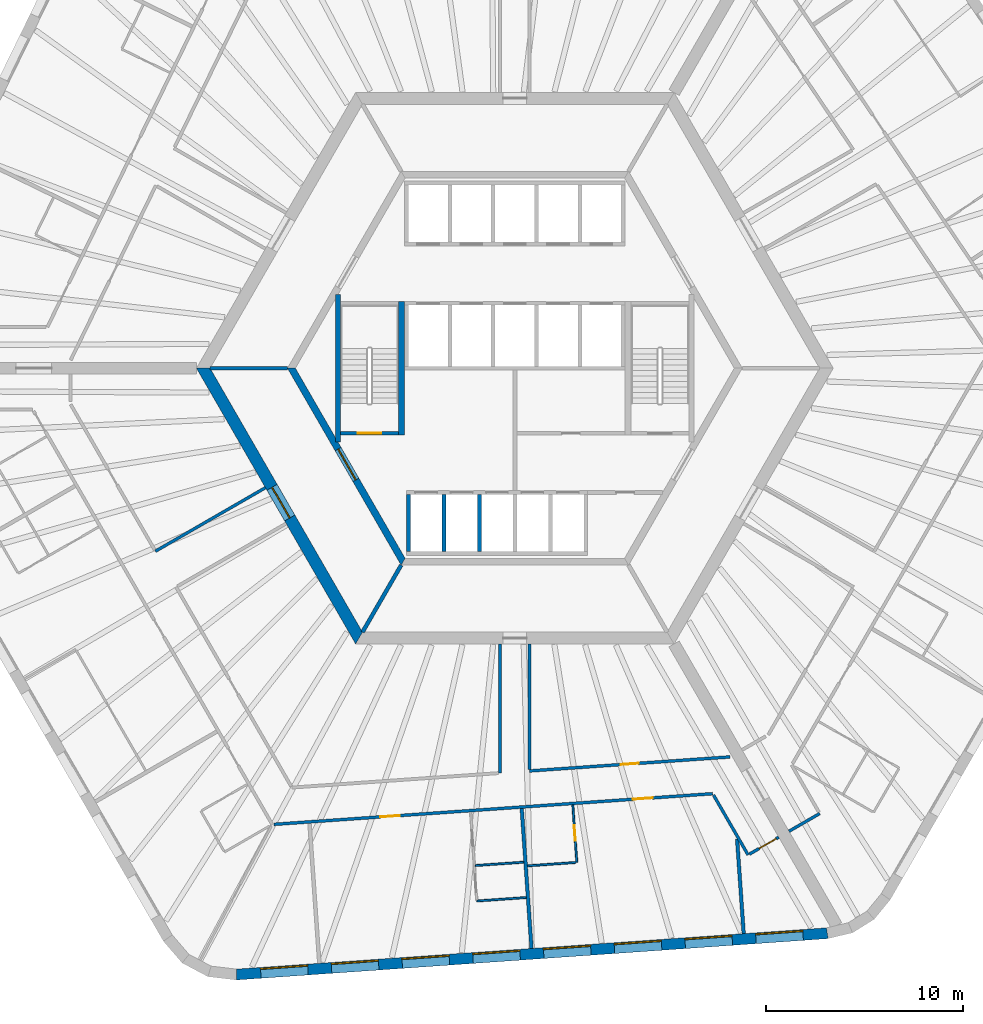
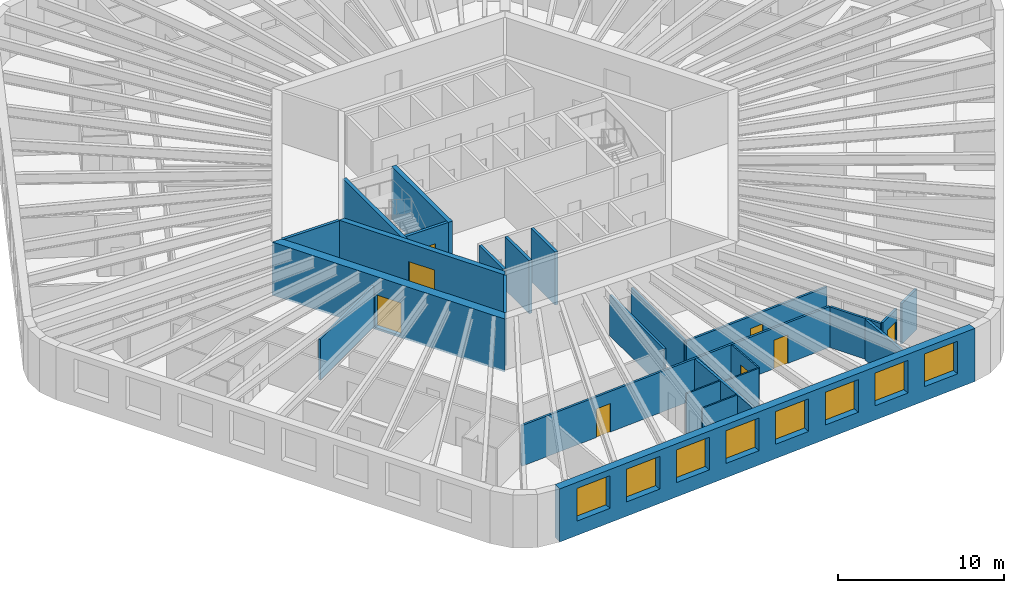
# One storey, part 4 of 11: 25 walls, 8 doors, 8 windows, 16 openings.
"""IFC4 building model written with IfcOpenShell, lengths in metres."""

import ifcopenshell
import ifcopenshell.guid

model = None  # the IFC model being written
_history = None  # IfcOwnerHistory: only IFC2X3 demands one
_inside = {}  # id of a spatial element -> (the spatial element, [elements in it])
_under = {}  # id of a project, library or spatial element -> (it, [spatial elements below it])
_declared = {}  # id of a project -> (the project, [libraries it declares])
_typed = {}  # id of a type object -> (the type object, [elements of that type])
_made_of = {}  # id of a material, layer set ... -> (it, [elements and type objects made of it])


def new_model(schema):
    """Start an empty IFC model of exactly this schema.

    Asked for "IFC4X3", IfcOpenShell would pick the latest addendum, in which some entities
    have other attributes; the version numbers below select the first issue.
    IFC2X3 requires an IfcOwnerHistory on every rooted entity: one is made here for all.
    """
    global model, _history
    if schema == "IFC4X3":
        model = ifcopenshell.file(schema_version=(4, 3, 0, 0))
    else:
        model = ifcopenshell.file(schema=schema)
    _inside.clear()
    _under.clear()
    _declared.clear()
    _typed.clear()
    _made_of.clear()
    _history = None
    if model.schema == "IFC2X3":
        org = make("IfcOrganization", Name="unknown")
        user = make(
            "IfcPersonAndOrganization",
            ThePerson=make("IfcPerson", FamilyName="unknown"),
            TheOrganization=org,
        )
        app = make(
            "IfcApplication",
            ApplicationDeveloper=org,
            Version="unknown",
            ApplicationFullName="unknown",
            ApplicationIdentifier="unknown",
        )
        _history = make(
            "IfcOwnerHistory",
            OwningUser=user,
            OwningApplication=app,
            ChangeAction="ADDED",
            CreationDate=0,
        )
    return model


def make(cls, **values):
    """One entity of the class cls with the attributes given. An attribute that is None is left unset."""
    return model.create_entity(
        cls, **{name: value for name, value in values.items() if value is not None}
    )


def rooted(cls, **values):
    """An entity with a GlobalId (a new one), such as an element, a storey or a relation."""
    return make(cls, GlobalId=ifcopenshell.guid.new(), OwnerHistory=_history, **values)


def si_unit(unit_type, name, prefix=None):
    """IfcSIUnit, for example si_unit("LENGTHUNIT", "METRE", prefix="MILLI")."""
    return make("IfcSIUnit", UnitType=unit_type, Prefix=prefix, Name=name)


def assignment(units):
    """IfcUnitAssignment: the units of a project."""
    return None if units is None else make("IfcUnitAssignment", Units=units)


def point(xyz):
    """IfcCartesianPoint."""
    return None if xyz is None else make("IfcCartesianPoint", Coordinates=xyz)


def direction(xyz):
    """IfcDirection."""
    return None if xyz is None else make("IfcDirection", DirectionRatios=xyz)


def frame(location, z_axis=None, x_axis=None):
    """IfcAxis2Placement3D, a coordinate frame: its origin and axes. An axis left out is left unset."""
    return make(
        "IfcAxis2Placement3D",
        Location=point(location),
        Axis=direction(z_axis),
        RefDirection=direction(x_axis),
    )


def frame_2d(location, x_axis=None):
    """IfcAxis2Placement2D, a coordinate frame in the plane: its origin and x axis."""
    return make(
        "IfcAxis2Placement2D", Location=point(location), RefDirection=direction(x_axis)
    )


def origin():
    """The frame at (0, 0, 0) with its axes left unset."""
    return frame((0.0, 0.0, 0.0))


def place(relative_to, where):
    """IfcLocalPlacement: puts the frame where relative to a parent placement (None: the world)."""
    return make(
        "IfcLocalPlacement", PlacementRelTo=relative_to, RelativePlacement=where
    )


def context(
    kind, dimensions, precision=None, world=None, true_north=None, identifier=None
):
    """IfcGeometricRepresentationContext, for example the 3D "Model" context."""
    return make(
        "IfcGeometricRepresentationContext",
        ContextIdentifier=identifier,
        ContextType=kind,
        CoordinateSpaceDimension=dimensions,
        Precision=precision,
        WorldCoordinateSystem=world,
        TrueNorth=true_north,
    )


def subcontext(parent, identifier, kind, view, scale=None):
    """IfcGeometricRepresentationSubContext, for example "Body" below "Model"."""
    return make(
        "IfcGeometricRepresentationSubContext",
        ContextIdentifier=identifier,
        ContextType=kind,
        ParentContext=parent,
        TargetScale=scale,
        TargetView=view,
    )


def project(units=None, contexts=None):
    """IfcProject with its units and contexts."""
    return rooted(
        "IfcProject",
        Name="project",
        RepresentationContexts=contexts,
        UnitsInContext=assignment(units),
    )


def spatial(cls, under=None, at=None, **own):
    """A site, building, storey or space (cls), placed at a placement, below another one or the project."""
    s = rooted(cls, ObjectPlacement=at, **own)
    if under is not None:
        _under.setdefault(under.id(), (under, []))[1].append(s)
    return s


def polyline(points):
    """IfcPolyline through the points."""
    return make("IfcPolyline", Points=[point(p) for p in points])


def profile(cls, at=None, kind="AREA", **sizes):
    """A parametric profile (cls). Its sizes go by their IFC names, for example OverallWidth=200.0."""
    return make(cls, ProfileType=kind, Position=at, **sizes)


def rectangle(**sizes):
    """IfcRectangleProfileDef."""
    return profile("IfcRectangleProfileDef", **sizes)


def outline(outer, holes=None, kind="AREA"):
    """IfcArbitraryClosedProfileDef: a profile drawn as a closed curve; with holes, ...WithVoids."""
    if holes is None:
        return make("IfcArbitraryClosedProfileDef", ProfileType=kind, OuterCurve=outer)
    return make(
        "IfcArbitraryProfileDefWithVoids",
        ProfileType=kind,
        OuterCurve=outer,
        InnerCurves=holes,
    )


def extrude(swept, where, along, depth):
    """IfcExtrudedAreaSolid: the profile swept, set in the frame where, extruded along a direction by depth."""
    return make(
        "IfcExtrudedAreaSolid",
        SweptArea=swept,
        Position=where,
        ExtrudedDirection=direction(along),
        Depth=depth,
    )


def shape(context_of_items, identifier, shape_type, items):
    """IfcShapeRepresentation: the items that make up one representation, for example the "Body"."""
    return make(
        "IfcShapeRepresentation",
        ContextOfItems=context_of_items,
        RepresentationIdentifier=identifier,
        RepresentationType=shape_type,
        Items=items,
    )


def material(Name=None, Category=None):
    """IfcMaterial."""
    return make("IfcMaterial", Name=Name, Category=Category)


def layer(
    of_material, thickness, ventilated=None, Name=None, Category=None, Priority=None
):
    """IfcMaterialLayer: one layer of a wall or slab, of a material (None: an air gap)."""
    return make(
        "IfcMaterialLayer",
        Material=of_material,
        LayerThickness=thickness,
        IsVentilated=ventilated,
        Name=Name,
        Category=Category,
        Priority=Priority,
    )


def layer_set(layers, Name=None):
    """IfcMaterialLayerSet."""
    return make("IfcMaterialLayerSet", MaterialLayers=layers, LayerSetName=Name)


def made_of(thing, what):
    """Note that an element or type object is made of a material, layer set ...; save() writes the relation."""
    if what is not None:
        _made_of.setdefault(what.id(), (what, []))[1].append(thing)
    return thing


def type_object(cls, material=None, **own):
    """A type object (cls), such as IfcWallType, which elements share."""
    return made_of(rooted(cls, **own), material)


def element(
    cls,
    number,
    at=None,
    inside=None,
    cuts=None,
    type_object=None,
    material=None,
    context=None,
    identifier="Body",
    shape_type=None,
    held_by="IfcProductDefinitionShape",
    body=None,
    shapes=None,
    **own,
):
    """One element of the class cls, such as IfcWall. Its Tag is "e" and its number.

    at: its placement. inside: the storey or other place that contains it. cuts: it is an
    opening in that element (IfcRelVoidsElement). A single representation is given by context,
    identifier, shape_type and body (its items); several are given by shapes. held_by: the class
    of the entity that holds the representations. save() writes the other relations.
    """
    e = rooted(cls, Tag="e%d" % number, ObjectPlacement=at, **own)
    if body is not None:
        shapes = [shape(context, identifier, shape_type, body)]
    if shapes is not None:
        e.Representation = make(held_by, Representations=shapes)
    if inside is not None:
        _inside.setdefault(inside.id(), (inside, []))[1].append(e)
    if cuts is not None:
        rooted(
            "IfcRelVoidsElement", RelatingBuildingElement=cuts, RelatedOpeningElement=e
        )
    if type_object is not None:
        _typed.setdefault(type_object.id(), (type_object, []))[1].append(e)
    return made_of(e, material)


def fill(opening, filler):
    """IfcRelFillsElement: the door or window that sits in an opening."""
    return rooted(
        "IfcRelFillsElement",
        RelatingOpeningElement=opening,
        RelatedBuildingElement=filler,
    )


def aggregate(whole, parts):
    """IfcRelAggregates: a whole, such as a stair, and the parts it consists of."""
    return rooted("IfcRelAggregates", RelatingObject=whole, RelatedObjects=parts)


def save(model, path):
    """Write the relations noted so far, then the file.

    IfcRelAggregates (storeys below a building ...), IfcRelContainedInSpatialStructure (elements
    in a storey), IfcRelDefinesByType, IfcRelAssociatesMaterial and IfcRelDeclares: one each for
    every whole, place, type object, material and project.
    """
    for whole, parts in _under.values():
        aggregate(whole, parts)
    for where, things in _inside.values():
        rooted(
            "IfcRelContainedInSpatialStructure",
            RelatedElements=things,
            RelatingStructure=where,
        )
    for kind, things in _typed.values():
        rooted("IfcRelDefinesByType", RelatedObjects=things, RelatingType=kind)
    for what, things in _made_of.values():
        rooted("IfcRelAssociatesMaterial", RelatedObjects=things, RelatingMaterial=what)
    for by, libraries in _declared.values():
        rooted("IfcRelDeclares", RelatingContext=by, RelatedDefinitions=libraries)
    model.write(path)


model = new_model("IFC4")

# Units and contexts
model_context = context("Model", 3, precision=1e-05, world=origin(), true_north=direction((0.0, 1.0)))
body_context = subcontext(model_context, "Body", "Model", "MODEL_VIEW")
ifc_project = project(units=[si_unit("LENGTHUNIT", "METRE"), si_unit("AREAUNIT", "SQUARE_METRE"), si_unit("VOLUMEUNIT", "CUBIC_METRE"), si_unit("PLANEANGLEUNIT", "RADIAN"), si_unit("MASSUNIT", "GRAM", prefix="KILO")], contexts=[model_context])

# Site, building, storey
site_placement = place(None, origin())
site = spatial("IfcSite", under=ifc_project, at=site_placement, CompositionType="ELEMENT")
building_placement = place(site_placement, origin())
building = spatial("IfcBuilding", under=site, at=building_placement, Name="Tarnside Tower", CompositionType="ELEMENT")
storey_placement = place(building_placement, frame((0.0, 0.0, 107.699951171875)))
storey = spatial("IfcBuildingStorey", under=building, at=storey_placement, Name="L24", CompositionType="ELEMENT", Elevation=107.699951171875)

# Wall
ifc_material_1 = material(Name="Gypsum board partition on steel studs", Category="steel")
ifc_layer_1 = layer(ifc_material_1, 0.10009765625)
ifc_layer_set_1 = layer_set([ifc_layer_1], Name="Bathroom wall 100")
wall_type_1 = type_object("IfcWallType", Name="Bathroom wall 100", PredefinedType="PARTITIONING", material=ifc_layer_set_1)
wall_1_placement = place(storey_placement, frame((-2.004638671875, -25.251220703125, 0.0), z_axis=(0.0, 0.0, 1.0), x_axis=(0.997570291305, 0.069667165191, 0.0)))
element("IfcWall", 1, at=wall_1_placement, inside=storey, type_object=wall_type_1, Name="Bathroom wall 07124", PredefinedType="PARTITIONING", context=body_context, shape_type="SweptSolid", body=[
    extrude(rectangle(XDim=2.4599609375, YDim=0.10009765625, at=frame_2d((1.22998046875, 0.0))), origin(), (0.0, 0.0, 1.0), 2.98779296875),
])

# Wall, opening, door
wall_2_placement = place(storey_placement, frame((2.94287109375, -22.173828125, 0.0), z_axis=(0.0, 0.0, 1.0), x_axis=(0.069781781132, -0.997562280272, 0.0)))
wall_2 = element("IfcWall", 2, at=wall_2_placement, inside=storey, type_object=wall_type_1, Name="Bathroom wall 07128", PredefinedType="PARTITIONING", context=body_context, shape_type="SweptSolid", body=[
    extrude(rectangle(XDim=2.9248046875, YDim=0.10009765625, at=frame_2d((1.46240234375, 0.0))), origin(), (0.0, 0.0, 1.0), 2.98779296875),
])
opening_1_placement = place(wall_2_placement, frame((1.02490234375, 0.0, 0.0)))
opening_1 = element("IfcOpeningElement", 3, at=opening_1_placement, cuts=wall_2, Name="Opening D-B1", PredefinedType="OPENING", context=body_context, shape_type="SweptSolid", body=[
    extrude(rectangle(XDim=0.800048828125, YDim=2.10009765625, at=frame_2d((0.39990234375, 1.050048828125))), frame((0.0, 0.06005859375, 0.0), z_axis=(0.0, -1.0, 0.0), x_axis=(1.0, 0.0, 0.0)), (0.0, 0.0, 1.0), 0.1201171875),
])
ifc_material_2 = material(Name="Timber door leaf", Category="wood")
door_type_1 = type_object("IfcDoorType", Name="Bathroom door 800", OperationType="NOTDEFINED", PredefinedType="DOOR", material=ifc_material_2)
door_1_placement = place(opening_1_placement, origin())
door_1 = element("IfcDoor", 4, at=door_1_placement, inside=storey, type_object=door_type_1, Name="Bathroom door 07027", OperationType="SINGLE_SWING_RIGHT", OverallHeight=2.10009765625, OverallWidth=0.800048828125, PredefinedType="DOOR", context=body_context, shape_type="SweptSolid", body=[
    extrude(rectangle(XDim=0.800048828125, YDim=2.10009765625, at=frame_2d((0.39990234375, 1.050048828125))), frame((0.0, 0.02490234375, 0.0), z_axis=(0.0, -1.0, 0.0), x_axis=(1.0, 0.0, 0.0)), (0.0, 0.0, 1.0), 0.050048828125),
])
fill(opening_1, door_1)

# Wall
wall_3_placement = place(storey_placement, frame((3.096923828125, -25.094970703125, 0.0), z_axis=(0.0, 0.0, 1.0), x_axis=(-0.997562906323, -0.069772830877, 0.0)))
element("IfcWall", 5, at=wall_3_placement, inside=storey, type_object=wall_type_1, Name="Bathroom wall 07129", PredefinedType="PARTITIONING", context=body_context, shape_type="SweptSolid", body=[
    extrude(rectangle(XDim=2.4599609375, YDim=0.10009765625, at=frame_2d((1.22998046875, 0.0))), origin(), (0.0, 0.0, 1.0), 2.98779296875),
])

# Wall, opening, door
ifc_material_3 = material(Name="Concrete C50/60", Category="concrete")
ifc_layer_2 = layer(ifc_material_3, 0.35009765625)
ifc_layer_set_2 = layer_set([ifc_layer_2], Name="Core block wall 350 C50/60")
wall_type_2 = type_object("IfcWallType", Name="Core block wall 350 C50/60", PredefinedType="SHEAR", material=ifc_layer_set_2)
wall_4_placement = place(storey_placement, frame((-11.344970703125, 0.0, -0.14990234375), z_axis=(0.0, 0.0, 1.0), x_axis=(0.499995046907, -0.866028263435, 0.0)))
wall_4 = element("IfcWall", 6, at=wall_4_placement, inside=storey, type_object=wall_type_2, Name="L24 core block wall face 3", PredefinedType="SHEAR", context=body_context, shape_type="SweptSolid", body=[
    extrude(outline(polyline([(-0.10107421875, -0.175048828125), (11.44580078125, -0.175048828125), (11.24365234375, 0.175048828125), (0.10107421875, 0.175048828125), (-0.10107421875, -0.175048828125)])), origin(), (0.0, 0.0, 1.0), 3.89990234375),
])
opening_2_placement = place(wall_4_placement, frame((4.74365234375, 0.0, 0.14990234375)))
opening_2 = element("IfcOpeningElement", 7, at=opening_2_placement, cuts=wall_4, Name="Opening CD-FFL", PredefinedType="OPENING", context=body_context, shape_type="SweptSolid", body=[
    extrude(rectangle(XDim=1.800048828125, YDim=2.39990234375, at=frame_2d((0.89990234375, 1.199951171875))), frame((0.0, 0.18505859375, 0.0), z_axis=(0.0, -1.0, 0.0), x_axis=(1.0, 0.0, 0.0)), (0.0, 0.0, 1.0), 0.3701171875),
])
ifc_material_4 = material(Name="Steel fire door", Category="steel")
door_type_2 = type_object("IfcDoorType", Name="Firefighting lobby double door FD60S 1800x2400", OperationType="NOTDEFINED", PredefinedType="DOOR", material=ifc_material_4)
door_2_placement = place(opening_2_placement, origin())
door_2 = element("IfcDoor", 8, at=door_2_placement, inside=storey, type_object=door_type_2, Name="L24 lobby block door P3", OperationType="DOUBLE_DOOR_SINGLE_SWING", OverallHeight=2.39990234375, OverallWidth=1.800048828125, PredefinedType="DOOR", context=body_context, shape_type="SweptSolid", body=[
    extrude(rectangle(XDim=1.800048828125, YDim=2.39990234375, at=frame_2d((0.89990234375, 1.199951171875))), frame((0.0, 0.02490234375, 0.0), z_axis=(0.0, -1.0, 0.0), x_axis=(1.0, 0.0, 0.0)), (0.0, 0.0, 1.0), 0.050048828125),
])
fill(opening_2, door_2)

ifc_material_5 = material(Name="Concrete C80/95", Category="concrete")
ifc_layer_3 = layer(ifc_material_5, 0.60009765625)
ifc_layer_set_3 = layer_set([ifc_layer_3], Name="Core wall Z1 600 C80/95")
wall_type_3 = type_object("IfcWallType", Name="Core wall Z1 600 C80/95", PredefinedType="SHEAR", material=ifc_layer_set_3)
wall_5_placement = place(storey_placement, frame((-15.8193359375, 0.0, -0.14990234375), z_axis=(0.0, 0.0, 1.0), x_axis=(0.499999880136, -0.866025472988, 0.0)))
wall_5 = element("IfcWall", 9, at=wall_5_placement, inside=storey, type_object=wall_type_3, Name="L24 core wall face 3", PredefinedType="SHEAR", context=body_context, shape_type="SweptSolid", body=[
    extrude(outline(polyline([(-0.17333984375, -0.300048828125), (15.99267578125, -0.300048828125), (15.64599609375, 0.300048828125), (0.17333984375, 0.300048828125), (-0.17333984375, -0.300048828125)])), origin(), (0.0, 0.0, 1.0), 3.89990234375),
])
opening_3_placement = place(wall_5_placement, frame((6.980712890625, 0.0, 0.14990234375)))
opening_3 = element("IfcOpeningElement", 10, at=opening_3_placement, cuts=wall_5, Name="Opening CD-FFL", PredefinedType="OPENING", context=body_context, shape_type="SweptSolid", body=[
    extrude(rectangle(XDim=1.800048828125, YDim=2.39990234375, at=frame_2d((0.89990234375, 1.199951171875))), frame((0.0, 0.31005859375, 0.0), z_axis=(0.0, -1.0, 0.0), x_axis=(1.0, 0.0, 0.0)), (0.0, 0.0, 1.0), 0.6201171875),
])
door_3_placement = place(opening_3_placement, origin())
door_3 = element("IfcDoor", 11, at=door_3_placement, inside=storey, type_object=door_type_2, Name="L24 core door P3", OperationType="DOUBLE_DOOR_SINGLE_SWING", OverallHeight=2.39990234375, OverallWidth=1.800048828125, PredefinedType="DOOR", context=body_context, shape_type="SweptSolid", body=[
    extrude(rectangle(XDim=1.800048828125, YDim=2.39990234375, at=frame_2d((0.89990234375, 1.199951171875))), frame((0.0, 0.02490234375, 0.0), z_axis=(0.0, -1.0, 0.0), x_axis=(1.0, 0.0, 0.0)), (0.0, 0.0, 1.0), 0.050048828125),
])
fill(opening_3, door_3)

# Wall, openings, doors
ifc_layer_4 = layer(ifc_material_1, 0.14990234375)
ifc_layer_set_4 = layer_set([ifc_layer_4], Name="Corridor wall 150 EI 60")
wall_type_4 = type_object("IfcWallType", Name="Corridor wall 150 EI 60", PredefinedType="PARTITIONING", material=ifc_layer_set_4)
wall_6_placement = place(storey_placement, frame((-12.234130859375, -23.159912109375, 0.0), z_axis=(0.0, 0.0, 1.0), x_axis=(0.997563845372, 0.069759403714, 0.0)))
wall_6 = element("IfcWall", 12, at=wall_6_placement, inside=storey, type_object=wall_type_4, Name="Corridor wall 07035", PredefinedType="PARTITIONING", context=body_context, shape_type="SweptSolid", body=[
    extrude(rectangle(XDim=22.33544921875, YDim=0.14990234375, at=frame_2d((11.167724609375, 0.0))), origin(), (0.0, 0.0, 1.0), 2.98779296875),
])
opening_4_placement = place(wall_6_placement, frame((5.40869140625, 0.0, 0.0)))
opening_4 = element("IfcOpeningElement", 13, at=opening_4_placement, cuts=wall_6, Name="Opening D-E1", PredefinedType="OPENING", context=body_context, shape_type="SweptSolid", body=[
    extrude(rectangle(XDim=1.0, YDim=2.10009765625, at=frame_2d((0.5, 1.050048828125))), frame((0.0, 0.0849609375, 0.0), z_axis=(0.0, -1.0, 0.0), x_axis=(1.0, 0.0, 0.0)), (0.0, 0.0, 1.0), 0.169921875),
])
opening_5_placement = place(wall_6_placement, frame((18.272216796875, 0.0, 0.0)))
opening_5 = element("IfcOpeningElement", 14, at=opening_5_placement, cuts=wall_6, Name="Opening D-E1", PredefinedType="OPENING", context=body_context, shape_type="SweptSolid", body=[
    extrude(rectangle(XDim=1.0, YDim=2.10009765625, at=frame_2d((0.5, 1.050048828125))), frame((0.0, 0.0849609375, 0.0), z_axis=(0.0, -1.0, 0.0), x_axis=(1.0, 0.0, 0.0)), (0.0, 0.0, 1.0), 0.169921875),
])
door_type_3 = type_object("IfcDoorType", Name="Unit entrance door 1000 FD30S", OperationType="NOTDEFINED", PredefinedType="DOOR", material=ifc_material_2)
door_4_placement = place(opening_4_placement, origin())
door_4 = element("IfcDoor", 15, at=door_4_placement, inside=storey, type_object=door_type_3, Name="Unit door 07023", OperationType="SINGLE_SWING_LEFT", OverallHeight=2.10009765625, OverallWidth=1.0, PredefinedType="DOOR", context=body_context, shape_type="SweptSolid", body=[
    extrude(rectangle(XDim=1.0, YDim=2.10009765625, at=frame_2d((0.5, 1.050048828125))), frame((0.0, 0.02490234375, 0.0), z_axis=(0.0, -1.0, 0.0), x_axis=(1.0, 0.0, 0.0)), (0.0, 0.0, 1.0), 0.050048828125),
])
fill(opening_4, door_4)
door_5_placement = place(opening_5_placement, origin())
door_5 = element("IfcDoor", 16, at=door_5_placement, inside=storey, type_object=door_type_3, Name="Unit door 07026", OperationType="SINGLE_SWING_RIGHT", OverallHeight=2.10009765625, OverallWidth=1.0, PredefinedType="DOOR", context=body_context, shape_type="SweptSolid", body=[
    extrude(rectangle(XDim=1.0, YDim=2.10009765625, at=frame_2d((0.5, 1.050048828125))), frame((0.0, 0.02490234375, 0.0), z_axis=(0.0, -1.0, 0.0), x_axis=(1.0, 0.0, 0.0)), (0.0, 0.0, 1.0), 0.050048828125),
])
fill(opening_5, door_5)

# Wall
wall_7_placement = place(storey_placement, frame((10.088623046875, -21.674072265625, 0.0), z_axis=(0.0, 0.0, 1.0), x_axis=(0.500003763204, -0.866023231087, 0.0)))
element("IfcWall", 17, at=wall_7_placement, inside=storey, type_object=wall_type_4, Name="Corridor wall 07039", PredefinedType="PARTITIONING", context=body_context, shape_type="SweptSolid", body=[
    extrude(rectangle(XDim=3.505859375, YDim=0.14990234375, at=frame_2d((1.7529296875, 0.0))), origin(), (0.0, 0.0, 1.0), 2.98779296875),
])

# Wall, opening, door
wall_8_placement = place(storey_placement, frame((11.906494140625, -24.672607421875, 0.0), z_axis=(0.0, 0.0, 1.0), x_axis=(0.866013532718, 0.500020560727, 0.0)))
wall_8 = element("IfcWall", 18, at=wall_8_placement, inside=storey, type_object=wall_type_4, Name="Corridor wall 07042", PredefinedType="PARTITIONING", context=body_context, shape_type="SweptSolid", body=[
    extrude(rectangle(XDim=1.72509765625, YDim=0.14990234375, at=frame_2d((0.862548828125, 0.0))), origin(), (0.0, 0.0, 1.0), 2.98779296875),
])
opening_6_placement = place(wall_8_placement, frame((0.574951171875, 0.0, 0.0)))
opening_6 = element("IfcOpeningElement", 19, at=opening_6_placement, cuts=wall_8, Name="Opening D-E1", PredefinedType="OPENING", context=body_context, shape_type="SweptSolid", body=[
    extrude(rectangle(XDim=1.0, YDim=2.10009765625, at=frame_2d((0.5, 1.050048828125))), frame((0.0, 0.0849609375, 0.0), z_axis=(0.0, -1.0, 0.0), x_axis=(1.0, 0.0, 0.0)), (0.0, 0.0, 1.0), 0.169921875),
])
door_6_placement = place(opening_6_placement, origin())
door_6 = element("IfcDoor", 20, at=door_6_placement, inside=storey, type_object=door_type_3, Name="Unit door 07028", OperationType="SINGLE_SWING_LEFT", OverallHeight=2.10009765625, OverallWidth=1.0, PredefinedType="DOOR", context=body_context, shape_type="SweptSolid", body=[
    extrude(rectangle(XDim=1.0, YDim=2.10009765625, at=frame_2d((0.5, 1.050048828125))), frame((0.0, 0.02490234375, 0.0), z_axis=(0.0, -1.0, 0.0), x_axis=(1.0, 0.0, 0.0)), (0.0, 0.0, 1.0), 0.050048828125),
])
fill(opening_6, door_6)

# Walls
wall_9_placement = place(storey_placement, frame((-12.663818359375, -6.065673828125, 0.0), z_axis=(0.0, 0.0, 1.0), x_axis=(-0.866021702275, -0.500006411147, 0.0)))
element("IfcWall", 21, at=wall_9_placement, inside=storey, type_object=wall_type_4, Name="Corridor wall 07043", PredefinedType="PARTITIONING", context=body_context, shape_type="SweptSolid", body=[
    extrude(rectangle(XDim=6.4501953125, YDim=0.14990234375, at=frame_2d((3.22509765625, 0.0))), origin(), (0.0, 0.0, 1.0), 2.98779296875),
])
wall_10_placement = place(storey_placement, frame((-0.75, -14.0, 0.0), z_axis=(0.0, 0.0, 1.0), x_axis=(0.0, -1.0, 0.0)))
element("IfcWall", 22, at=wall_10_placement, inside=storey, type_object=wall_type_4, Name="Corridor wall 07046", PredefinedType="PARTITIONING", context=body_context, shape_type="SweptSolid", body=[
    extrude(rectangle(XDim=6.552490234375, YDim=0.14990234375, at=frame_2d((3.2763671875, 0.0))), origin(), (0.0, 0.0, 1.0), 2.98779296875),
])

# Wall, opening, door
wall_11_placement = place(storey_placement, frame((10.921142578125, -19.736328125, 0.0), z_axis=(0.0, 0.0, 1.0), x_axis=(-0.997564418338, -0.069751209779, 0.0)))
wall_11 = element("IfcWall", 23, at=wall_11_placement, inside=storey, type_object=wall_type_4, Name="Corridor wall 07050", PredefinedType="PARTITIONING", context=body_context, shape_type="SweptSolid", body=[
    extrude(rectangle(XDim=10.196044921875, YDim=0.14990234375, at=frame_2d((5.09814453125, 0.0))), origin(), (0.0, 0.0, 1.0), 2.98779296875),
])
opening_7_placement = place(wall_11_placement, frame((4.64794921875, 0.0, 0.0)))
opening_7 = element("IfcOpeningElement", 24, at=opening_7_placement, cuts=wall_11, Name="Opening D-S1", PredefinedType="OPENING", context=body_context, shape_type="SweptSolid", body=[
    extrude(rectangle(XDim=0.89990234375, YDim=2.10009765625, at=frame_2d((0.449951171875, 1.050048828125))), frame((0.0, 0.0849609375, 0.0), z_axis=(0.0, -1.0, 0.0), x_axis=(1.0, 0.0, 0.0)), (0.0, 0.0, 1.0), 0.169921875),
])
door_type_4 = type_object("IfcDoorType", Name="Service room door 900 FD30S", OperationType="NOTDEFINED", PredefinedType="DOOR", material=ifc_material_2)
door_7_placement = place(opening_7_placement, origin())
door_7 = element("IfcDoor", 25, at=door_7_placement, inside=storey, type_object=door_type_4, Name="Service door 07047", OperationType="SINGLE_SWING_LEFT", OverallHeight=2.10009765625, OverallWidth=0.89990234375, PredefinedType="DOOR", context=body_context, shape_type="SweptSolid", body=[
    extrude(rectangle(XDim=0.89990234375, YDim=2.10009765625, at=frame_2d((0.449951171875, 1.050048828125))), frame((0.0, 0.02490234375, 0.0), z_axis=(0.0, -1.0, 0.0), x_axis=(1.0, 0.0, 0.0)), (0.0, 0.0, 1.0), 0.050048828125),
])
fill(opening_7, door_7)

# Walls
wall_12_placement = place(storey_placement, frame((0.75, -20.372314453125, 0.0), z_axis=(0.0, 0.0, 1.0), x_axis=(0.0, 1.0, 0.0)))
element("IfcWall", 26, at=wall_12_placement, inside=storey, type_object=wall_type_4, Name="Corridor wall 07051", PredefinedType="PARTITIONING", context=body_context, shape_type="SweptSolid", body=[
    extrude(rectangle(XDim=6.372314453125, YDim=0.14990234375, at=frame_2d((3.18603515625, 0.0))), origin(), (0.0, 0.0, 1.0), 2.98779296875),
])
wall_13_placement = place(storey_placement, frame((13.919921875, -23.510009765625, 0.0), z_axis=(0.0, 0.0, 1.0), x_axis=(0.866047807691, 0.499961193289, 0.0)))
element("IfcWall", 27, at=wall_13_placement, inside=storey, type_object=wall_type_4, Name="Corridor wall 07052", PredefinedType="PARTITIONING", context=body_context, shape_type="SweptSolid", body=[
    extrude(rectangle(XDim=1.800048828125, YDim=0.14990234375, at=frame_2d((0.89990234375, 0.0))), origin(), (0.0, 0.0, 1.0), 2.98779296875),
])
ifc_layer_5 = layer(ifc_material_1, 0.179931640625)
ifc_layer_set_5 = layer_set([ifc_layer_5], Name="Demising wall 180 EI 60")
wall_type_5 = type_object("IfcWallType", Name="Demising wall 180 EI 60", PredefinedType="PARTITIONING", material=ifc_layer_set_5)
wall_14_placement = place(storey_placement, frame((0.84619140625, -29.462646484375, 0.0), z_axis=(0.0, 0.0, 1.0), x_axis=(-0.069764000094, 0.997563523938, 0.0)))
element("IfcWall", 28, at=wall_14_placement, inside=storey, type_object=wall_type_5, Name="Demising wall 07123", PredefinedType="PARTITIONING", context=body_context, shape_type="SweptSolid", body=[
    extrude(rectangle(XDim=7.125, YDim=0.179931640625, at=frame_2d((3.5625, 0.0))), origin(), (0.0, 0.0, 1.0), 2.98779296875),
])
wall_15_placement = place(storey_placement, frame((11.619873046875, -28.70947265625, 0.0), z_axis=(0.0, 0.0, 1.0), x_axis=(-0.069777301394, 0.99756259363, 0.0)))
element("IfcWall", 29, at=wall_15_placement, inside=storey, type_object=wall_type_5, Name="Demising wall 07130", PredefinedType="PARTITIONING", context=body_context, shape_type="SweptSolid", body=[
    extrude(rectangle(XDim=4.828369140625, YDim=0.179931640625, at=frame_2d((2.4140625, 0.0))), origin(), (0.0, 0.0, 1.0), 2.98779296875),
])
ifc_material_6 = material(Name="Concrete C40/50", Category="concrete")
ifc_layer_6 = layer(ifc_material_6, 0.199951171875)
ifc_layer_set_6 = layer_set([ifc_layer_6], Name="Lift shaft wall 200 C40/50")
wall_type_6 = type_object("IfcWallType", Name="Lift shaft wall 200 C40/50", PredefinedType="SHEAR", material=ifc_layer_set_6)
for number, where, z_axis, x_axis, name in (
    (30, (-5.39990234375, -9.300048828125, -0.25), (0.0, 0.0, 1.0), (0.0, 1.0, 0.0), "L24 lift shaft partition R41"),
    (31, (-3.60009765625, -9.300048828125, -0.25), (0.0, 0.0, 1.0), (0.0, 1.0, 0.0), "L24 lift shaft partition R42"),
    (32, (-1.800048828125, -9.300048828125, -0.25), (0.0, 0.0, 1.0), (0.0, 1.0, 0.0), "L24 lift shaft partition R43"),
):
    element("IfcWall", number, at=place(storey_placement, frame(where, z_axis=z_axis, x_axis=x_axis)), inside=storey, type_object=wall_type_6, Name=name, PredefinedType="SHEAR", context=body_context, shape_type="SweptSolid", body=[
        extrude(rectangle(XDim=2.900146484375, YDim=0.199951171875, at=frame_2d((1.4501953125, 0.0))), origin(), (0.0, 0.0, 1.0), 3.900146484375),
    ])
wall_16_placement = place(storey_placement, frame((-11.547119140625, 0.0, -0.14990234375), z_axis=(0.0, 0.0, 1.0), x_axis=(-1.0, 0.0, 0.0)))
element("IfcWall", 33, at=wall_16_placement, inside=storey, type_object=wall_type_6, Name="L24 core partition AR180", PredefinedType="SHEAR", context=body_context, shape_type="SweptSolid", body=[
    extrude(rectangle(XDim=3.92578125, YDim=0.199951171875, at=frame_2d((1.962890625, 0.0))), origin(), (0.0, 0.0, 1.0), 3.89990234375),
])
wall_17_placement = place(storey_placement, frame((-5.7734375, -10.0, -0.14990234375), z_axis=(0.0, 0.0, 1.0), x_axis=(-0.500038251005, -0.86600331843, 0.0)))
element("IfcWall", 34, at=wall_17_placement, inside=storey, type_object=wall_type_6, Name="L24 core partition AR240", PredefinedType="SHEAR", context=body_context, shape_type="SweptSolid", body=[
    extrude(rectangle(XDim=3.926025390625, YDim=0.199951171875, at=frame_2d((1.962890625, 0.0))), origin(), (0.0, 0.0, 1.0), 3.89990234375),
])

# Wall, opening, door
wall_18_placement = place(storey_placement, frame((-8.85009765625, -3.300048828125, -0.25), z_axis=(0.0, 0.0, 1.0), x_axis=(1.0, 0.0, 0.0)))
wall_18 = element("IfcWall", 35, at=wall_18_placement, inside=storey, type_object=wall_type_6, Name="L24 stair 2 enclosure cap wall s", PredefinedType="SHEAR", context=body_context, shape_type="SweptSolid", body=[
    extrude(rectangle(XDim=2.9501953125, YDim=0.199951171875, at=frame_2d((1.47509765625, 0.0))), origin(), (0.0, 0.0, 1.0), 3.900146484375),
])
opening_8_placement = place(wall_18_placement, frame((0.875, 0.0, 0.25)))
opening_8 = element("IfcOpeningElement", 36, at=opening_8_placement, cuts=wall_18, Name="Opening CD-STR", PredefinedType="OPENING", context=body_context, shape_type="SweptSolid", body=[
    extrude(rectangle(XDim=1.199951171875, YDim=2.39990234375, at=frame_2d((0.60009765625, 1.199951171875))), frame((0.0, 0.10986328125, 0.0), z_axis=(0.0, -1.0, 0.0), x_axis=(1.0, 0.0, 0.0)), (0.0, 0.0, 1.0), 0.219970703125),
])
door_type_5 = type_object("IfcDoorType", Name="Stair door FD60S 1200x2400", OperationType="NOTDEFINED", PredefinedType="DOOR", material=ifc_material_4)
door_8_placement = place(opening_8_placement, origin())
door_8 = element("IfcDoor", 37, at=door_8_placement, inside=storey, type_object=door_type_5, Name="L24 stair 2 door", OperationType="SINGLE_SWING_LEFT", OverallHeight=2.39990234375, OverallWidth=1.199951171875, PredefinedType="DOOR", context=body_context, shape_type="SweptSolid", body=[
    extrude(rectangle(XDim=1.199951171875, YDim=2.39990234375, at=frame_2d((0.60009765625, 1.199951171875))), frame((0.0, 0.02490234375, 0.0), z_axis=(0.0, -1.0, 0.0), x_axis=(1.0, 0.0, 0.0)), (0.0, 0.0, 1.0), 0.050048828125),
])
fill(opening_8, door_8)

# Walls
ifc_layer_7 = layer(ifc_material_1, 0.10009765625)
ifc_layer_set_7 = layer_set([ifc_layer_7], Name="Partition 100")
wall_type_7 = type_object("IfcWallType", Name="Partition 100", PredefinedType="PARTITIONING", material=ifc_layer_set_7)
wall_19_placement = place(storey_placement, frame((0.574951171875, -26.875244140625, 0.0), z_axis=(0.0, 0.0, 1.0), x_axis=(-0.997558425079, -0.069836871022, 0.0)))
element("IfcWall", 38, at=wall_19_placement, inside=storey, type_object=wall_type_7, Name="Partition wall 07121", PredefinedType="PARTITIONING", context=body_context, shape_type="SweptSolid", body=[
    extrude(rectangle(XDim=2.510009765625, YDim=0.10009765625, at=frame_2d((1.2548828125, 0.0))), origin(), (0.0, 0.0, 1.0), 2.98779296875),
])
ifc_layer_8 = layer(ifc_material_6, 0.25)
ifc_layer_set_8 = layer_set([ifc_layer_8], Name="Stair enclosure wall 250 C40/50")
wall_type_8 = type_object("IfcWallType", Name="Stair enclosure wall 250 C40/50", PredefinedType="SHEAR", material=ifc_layer_set_8)
wall_20_placement = place(storey_placement, frame((-8.97509765625, -3.7548828125, -0.25), z_axis=(0.0, 0.0, 1.0), x_axis=(0.0, 1.0, 0.0)))
element("IfcWall", 39, at=wall_20_placement, inside=storey, type_object=wall_type_8, Name="L24 stair 2 enclosure wall outer", PredefinedType="SHEAR", context=body_context, shape_type="SweptSolid", body=[
    extrude(rectangle(XDim=7.509765625, YDim=0.25, at=frame_2d((3.7548828125, 0.0))), origin(), (0.0, 0.0, 1.0), 3.900146484375),
])
ifc_layer_9 = layer(ifc_material_6, 0.300048828125)
ifc_layer_set_9 = layer_set([ifc_layer_9], Name="Stair enclosure wall 300 C40/50")
wall_type_9 = type_object("IfcWallType", Name="Stair enclosure wall 300 C40/50", PredefinedType="SHEAR", material=ifc_layer_set_9)
wall_21_placement = place(storey_placement, frame((-5.75, -3.39990234375, -0.25), z_axis=(0.0, 0.0, 1.0), x_axis=(0.0, 1.0, 0.0)))
element("IfcWall", 40, at=wall_21_placement, inside=storey, type_object=wall_type_9, Name="L24 stair 2 enclosure wall inner", PredefinedType="SHEAR", context=body_context, shape_type="SweptSolid", body=[
    extrude(rectangle(XDim=6.7998046875, YDim=0.300048828125, at=frame_2d((3.39990234375, 0.0))), origin(), (0.0, 0.0, 1.0), 3.900146484375),
])

# Wall, openings, windows
ifc_material_7 = material(Name="Facing brick", Category="masonry")
ifc_layer_10 = layer(ifc_material_7, 0.10205078125)
ifc_material_8 = material(Name="Concrete C60/75 precast", Category="concrete")
ifc_layer_11 = layer(ifc_material_8, 0.347900390625)
ifc_material_9 = material(Name="Mineral wool insulation")
ifc_layer_12 = layer(ifc_material_9, 0.10009765625)
ifc_layer_set_10 = layer_set([ifc_layer_10, ifc_layer_11, ifc_layer_12], Name="Tube wall 550 brick faced")
wall_type_10 = type_object("IfcWallType", Name="Tube wall 550 brick faced", PredefinedType="SOLIDWALL", material=ifc_layer_set_10)
wall_22_placement = place(storey_placement, frame((-14.133544921875, -30.785888671875, -0.14990234375), z_axis=(0.0, 0.0, 1.0), x_axis=(0.997564037441, 0.069756657061, 0.0)))
wall_22 = element("IfcWall", 41, at=wall_22_placement, inside=storey, type_object=wall_type_10, Name="Tube wall L24 F4 flush 12", PredefinedType="SOLIDWALL", context=body_context, shape_type="SweptSolid", body=[
    extrude(outline(polyline([(-0.025634765625, -0.27490234375), (30.093505859375, -0.27490234375), (30.048583984375, 0.27490234375), (0.025634765625, 0.27490234375), (-0.025634765625, -0.27490234375)])), origin(), (0.0, 0.0, 1.0), 3.89990234375),
])
opening_9_placement = place(wall_22_placement, frame((1.235595703125, 0.0, 1.050048828125)))
opening_9 = element("IfcOpeningElement", 42, at=opening_9_placement, cuts=wall_22, Name="Opening WH", PredefinedType="OPENING", context=body_context, shape_type="SweptSolid", body=[
    extrude(rectangle(XDim=2.39990234375, YDim=2.39990234375, at=frame_2d((1.199951171875, 1.199951171875))), frame((0.0, 0.28515625, 0.0), z_axis=(0.0, -1.0, 0.0), x_axis=(1.0, 0.0, 0.0)), (0.0, 0.0, 1.0), 0.570068359375),
])
opening_10_placement = place(wall_22_placement, frame((4.83544921875, 0.0, 1.050048828125)))
opening_10 = element("IfcOpeningElement", 43, at=opening_10_placement, cuts=wall_22, Name="Opening WH", PredefinedType="OPENING", context=body_context, shape_type="SweptSolid", body=[
    extrude(rectangle(XDim=2.39990234375, YDim=2.39990234375, at=frame_2d((1.199951171875, 1.199951171875))), frame((0.0, 0.28515625, 0.0), z_axis=(0.0, -1.0, 0.0), x_axis=(1.0, 0.0, 0.0)), (0.0, 0.0, 1.0), 0.570068359375),
])
opening_11_placement = place(wall_22_placement, frame((8.435546875, 0.0, 1.050048828125)))
opening_11 = element("IfcOpeningElement", 44, at=opening_11_placement, cuts=wall_22, Name="Opening WH", PredefinedType="OPENING", context=body_context, shape_type="SweptSolid", body=[
    extrude(rectangle(XDim=2.39990234375, YDim=2.39990234375, at=frame_2d((1.199951171875, 1.199951171875))), frame((0.0, 0.28515625, 0.0), z_axis=(0.0, -1.0, 0.0), x_axis=(1.0, 0.0, 0.0)), (0.0, 0.0, 1.0), 0.570068359375),
])
opening_12_placement = place(wall_22_placement, frame((12.035400390625, 0.0, 1.050048828125)))
opening_12 = element("IfcOpeningElement", 45, at=opening_12_placement, cuts=wall_22, Name="Opening WH", PredefinedType="OPENING", context=body_context, shape_type="SweptSolid", body=[
    extrude(rectangle(XDim=2.39990234375, YDim=2.39990234375, at=frame_2d((1.199951171875, 1.199951171875))), frame((0.0, 0.28515625, 0.0), z_axis=(0.0, -1.0, 0.0), x_axis=(1.0, 0.0, 0.0)), (0.0, 0.0, 1.0), 0.570068359375),
])
opening_13_placement = place(wall_22_placement, frame((15.635498046875, 0.0, 1.050048828125)))
opening_13 = element("IfcOpeningElement", 46, at=opening_13_placement, cuts=wall_22, Name="Opening WH", PredefinedType="OPENING", context=body_context, shape_type="SweptSolid", body=[
    extrude(rectangle(XDim=2.39990234375, YDim=2.39990234375, at=frame_2d((1.199951171875, 1.199951171875))), frame((0.0, 0.28515625, 0.0), z_axis=(0.0, -1.0, 0.0), x_axis=(1.0, 0.0, 0.0)), (0.0, 0.0, 1.0), 0.570068359375),
])
opening_14_placement = place(wall_22_placement, frame((19.235595703125, 0.0, 1.050048828125)))
opening_14 = element("IfcOpeningElement", 47, at=opening_14_placement, cuts=wall_22, Name="Opening WH", PredefinedType="OPENING", context=body_context, shape_type="SweptSolid", body=[
    extrude(rectangle(XDim=2.39990234375, YDim=2.39990234375, at=frame_2d((1.199951171875, 1.199951171875))), frame((0.0, 0.28515625, 0.0), z_axis=(0.0, -1.0, 0.0), x_axis=(1.0, 0.0, 0.0)), (0.0, 0.0, 1.0), 0.570068359375),
])
opening_15_placement = place(wall_22_placement, frame((22.83544921875, 0.0, 1.050048828125)))
opening_15 = element("IfcOpeningElement", 48, at=opening_15_placement, cuts=wall_22, Name="Opening WH", PredefinedType="OPENING", context=body_context, shape_type="SweptSolid", body=[
    extrude(rectangle(XDim=2.39990234375, YDim=2.39990234375, at=frame_2d((1.199951171875, 1.199951171875))), frame((0.0, 0.28515625, 0.0), z_axis=(0.0, -1.0, 0.0), x_axis=(1.0, 0.0, 0.0)), (0.0, 0.0, 1.0), 0.570068359375),
])
opening_16_placement = place(wall_22_placement, frame((26.435546875, 0.0, 1.050048828125)))
opening_16 = element("IfcOpeningElement", 49, at=opening_16_placement, cuts=wall_22, Name="Opening WH", PredefinedType="OPENING", context=body_context, shape_type="SweptSolid", body=[
    extrude(rectangle(XDim=2.39990234375, YDim=2.39990234375, at=frame_2d((1.199951171875, 1.199951171875))), frame((0.0, 0.28515625, 0.0), z_axis=(0.0, -1.0, 0.0), x_axis=(1.0, 0.0, 0.0)), (0.0, 0.0, 1.0), 0.570068359375),
])
ifc_material_10 = material(Name="Aluminium-framed double glazing", Category="aluminium")
window_type = type_object("IfcWindowType", Name="Hotel window 2400 x 2400", PartitioningType="DOUBLE_PANEL_VERTICAL", PredefinedType="WINDOW", material=ifc_material_10)
window_1_placement = place(opening_9_placement, frame((0.0, 0.205078125, 0.0)))
window_1 = element("IfcWindow", 50, at=window_1_placement, inside=storey, type_object=window_type, Name="E.WN.L24.F4.00", OverallHeight=2.39990234375, OverallWidth=2.39990234375, PartitioningType="DOUBLE_PANEL_VERTICAL", PredefinedType="WINDOW", context=body_context, shape_type="SweptSolid", body=[
    extrude(rectangle(XDim=2.39990234375, YDim=2.39990234375, at=frame_2d((1.199951171875, 1.199951171875))), frame((0.0, 0.030029296875, 0.0), z_axis=(0.0, -1.0, 0.0), x_axis=(1.0, 0.0, 0.0)), (0.0, 0.0, 1.0), 0.06005859375),
])
fill(opening_9, window_1)
window_2_placement = place(opening_10_placement, frame((0.0, 0.205078125, 0.0)))
window_2 = element("IfcWindow", 51, at=window_2_placement, inside=storey, type_object=window_type, Name="E.WN.L24.F4.01", OverallHeight=2.39990234375, OverallWidth=2.39990234375, PartitioningType="DOUBLE_PANEL_VERTICAL", PredefinedType="WINDOW", context=body_context, shape_type="SweptSolid", body=[
    extrude(rectangle(XDim=2.39990234375, YDim=2.39990234375, at=frame_2d((1.199951171875, 1.199951171875))), frame((0.0, 0.030029296875, 0.0), z_axis=(0.0, -1.0, 0.0), x_axis=(1.0, 0.0, 0.0)), (0.0, 0.0, 1.0), 0.06005859375),
])
fill(opening_10, window_2)
window_3_placement = place(opening_11_placement, frame((0.0, 0.205078125, 0.0)))
window_3 = element("IfcWindow", 52, at=window_3_placement, inside=storey, type_object=window_type, Name="E.WN.L24.F4.02", OverallHeight=2.39990234375, OverallWidth=2.39990234375, PartitioningType="DOUBLE_PANEL_VERTICAL", PredefinedType="WINDOW", context=body_context, shape_type="SweptSolid", body=[
    extrude(rectangle(XDim=2.39990234375, YDim=2.39990234375, at=frame_2d((1.199951171875, 1.199951171875))), frame((0.0, 0.030029296875, 0.0), z_axis=(0.0, -1.0, 0.0), x_axis=(1.0, 0.0, 0.0)), (0.0, 0.0, 1.0), 0.06005859375),
])
fill(opening_11, window_3)
window_4_placement = place(opening_12_placement, frame((0.0, 0.205078125, 0.0)))
window_4 = element("IfcWindow", 53, at=window_4_placement, inside=storey, type_object=window_type, Name="E.WN.L24.F4.03", OverallHeight=2.39990234375, OverallWidth=2.39990234375, PartitioningType="DOUBLE_PANEL_VERTICAL", PredefinedType="WINDOW", context=body_context, shape_type="SweptSolid", body=[
    extrude(rectangle(XDim=2.39990234375, YDim=2.39990234375, at=frame_2d((1.199951171875, 1.199951171875))), frame((0.0, 0.030029296875, 0.0), z_axis=(0.0, -1.0, 0.0), x_axis=(1.0, 0.0, 0.0)), (0.0, 0.0, 1.0), 0.06005859375),
])
fill(opening_12, window_4)
window_5_placement = place(opening_13_placement, frame((0.0, 0.205078125, 0.0)))
window_5 = element("IfcWindow", 54, at=window_5_placement, inside=storey, type_object=window_type, Name="E.WN.L24.F4.04", OverallHeight=2.39990234375, OverallWidth=2.39990234375, PartitioningType="DOUBLE_PANEL_VERTICAL", PredefinedType="WINDOW", context=body_context, shape_type="SweptSolid", body=[
    extrude(rectangle(XDim=2.39990234375, YDim=2.39990234375, at=frame_2d((1.199951171875, 1.199951171875))), frame((0.0, 0.030029296875, 0.0), z_axis=(0.0, -1.0, 0.0), x_axis=(1.0, 0.0, 0.0)), (0.0, 0.0, 1.0), 0.06005859375),
])
fill(opening_13, window_5)
window_6_placement = place(opening_14_placement, frame((0.0, 0.205078125, 0.0)))
window_6 = element("IfcWindow", 55, at=window_6_placement, inside=storey, type_object=window_type, Name="E.WN.L24.F4.05", OverallHeight=2.39990234375, OverallWidth=2.39990234375, PartitioningType="DOUBLE_PANEL_VERTICAL", PredefinedType="WINDOW", context=body_context, shape_type="SweptSolid", body=[
    extrude(rectangle(XDim=2.39990234375, YDim=2.39990234375, at=frame_2d((1.199951171875, 1.199951171875))), frame((0.0, 0.030029296875, 0.0), z_axis=(0.0, -1.0, 0.0), x_axis=(1.0, 0.0, 0.0)), (0.0, 0.0, 1.0), 0.06005859375),
])
fill(opening_14, window_6)
window_7_placement = place(opening_15_placement, frame((0.0, 0.205078125, 0.0)))
window_7 = element("IfcWindow", 56, at=window_7_placement, inside=storey, type_object=window_type, Name="E.WN.L24.F4.06", OverallHeight=2.39990234375, OverallWidth=2.39990234375, PartitioningType="DOUBLE_PANEL_VERTICAL", PredefinedType="WINDOW", context=body_context, shape_type="SweptSolid", body=[
    extrude(rectangle(XDim=2.39990234375, YDim=2.39990234375, at=frame_2d((1.199951171875, 1.199951171875))), frame((0.0, 0.030029296875, 0.0), z_axis=(0.0, -1.0, 0.0), x_axis=(1.0, 0.0, 0.0)), (0.0, 0.0, 1.0), 0.06005859375),
])
fill(opening_15, window_7)
window_8_placement = place(opening_16_placement, frame((0.0, 0.205078125, 0.0)))
window_8 = element("IfcWindow", 57, at=window_8_placement, inside=storey, type_object=window_type, Name="E.WN.L24.F4.07", OverallHeight=2.39990234375, OverallWidth=2.39990234375, PartitioningType="DOUBLE_PANEL_VERTICAL", PredefinedType="WINDOW", context=body_context, shape_type="SweptSolid", body=[
    extrude(rectangle(XDim=2.39990234375, YDim=2.39990234375, at=frame_2d((1.199951171875, 1.199951171875))), frame((0.0, 0.030029296875, 0.0), z_axis=(0.0, -1.0, 0.0), x_axis=(1.0, 0.0, 0.0)), (0.0, 0.0, 1.0), 0.06005859375),
])
fill(opening_16, window_8)

save(model, "model.ifc")
